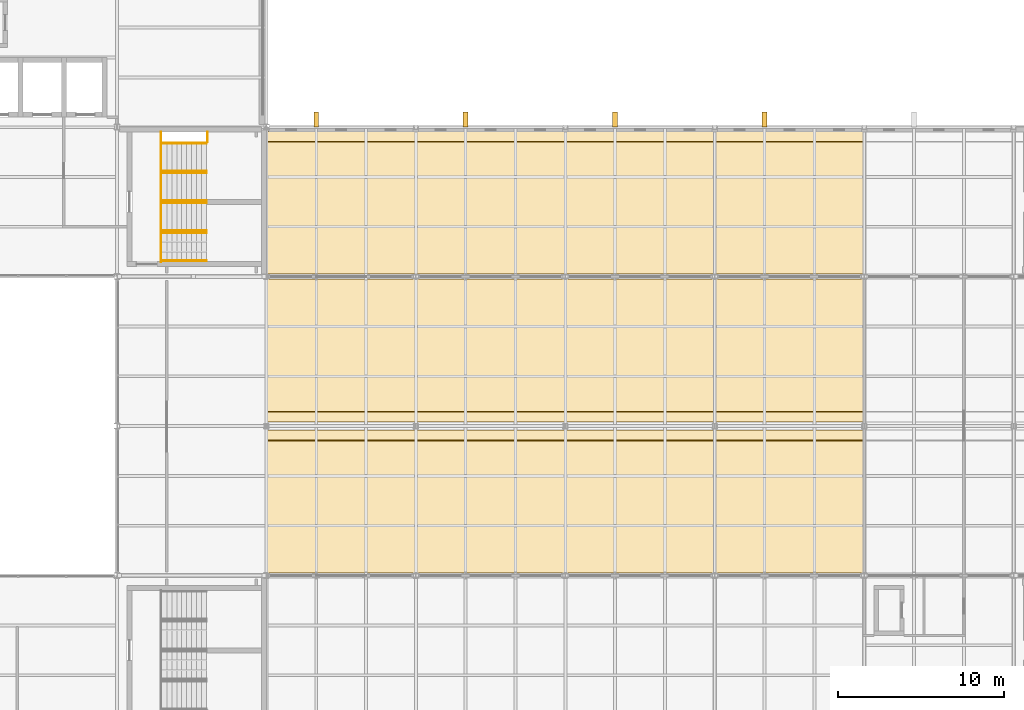
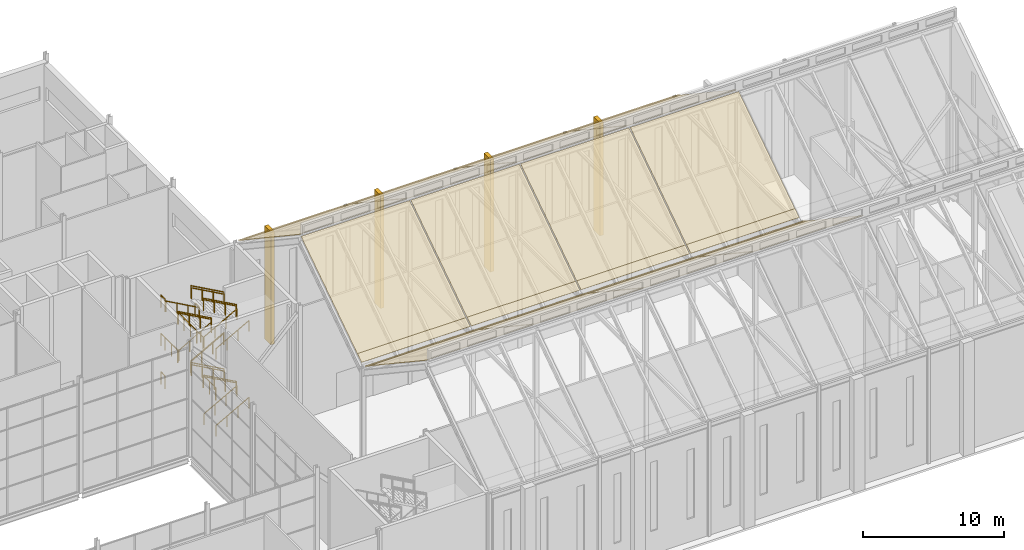
# One storey, part 109 of 111: 25 railings, 24 coverings, 4 shading devices.
"""IFC4 building model written with IfcOpenShell, lengths in metres."""

from ifc_helpers import new_model, si_unit, direction, frame, origin, origin_2d, place, context, subcontext, project, spatial, polyline, rectangle, circle, outline, extrude, material, layer, layer_set, type_object, element, save


model = new_model("IFC4")

# Units and contexts
model_context = context("Model", 3, precision=1e-05, world=origin(), true_north=direction((0.0, 1.0)))
body_context = subcontext(model_context, "Body", "Model", "MODEL_VIEW")
ifc_project = project(units=[si_unit("LENGTHUNIT", "METRE"), si_unit("AREAUNIT", "SQUARE_METRE"), si_unit("VOLUMEUNIT", "CUBIC_METRE"), si_unit("PLANEANGLEUNIT", "RADIAN"), si_unit("MASSUNIT", "GRAM", prefix="KILO")], contexts=[model_context])

# Site, building, storey
site_placement = place(None, origin())
site = spatial("IfcSite", under=ifc_project, at=site_placement, CompositionType="ELEMENT")
building_placement = place(site_placement, origin())
building = spatial("IfcBuilding", under=site, at=building_placement, Name="Shorebreak Coast Museum", CompositionType="ELEMENT")
storey_placement = place(building_placement, frame((0.0, 0.0, 16.0)))
storey = spatial("IfcBuildingStorey", under=building, at=storey_placement, Name="L03", CompositionType="ELEMENT", Elevation=16.0)

# Coverings
ifc_material_1 = material(Name="Lead-coated copper")
ifc_layer_1 = layer(ifc_material_1, 0.0400390625)
ifc_layer_set_1 = layer_set([ifc_layer_1], Name="Lead-coated copper")
covering_type_1 = type_object("IfcCoveringType", Name="Lead-coated copper roofing 40", PredefinedType="ROOFING", material=ifc_layer_set_1)
for number, where, z_axis, x_axis, name in (
    (1, (117.050048828125, 63.14990234375, 15.947998046875), (0.0, 0.554694336455, 0.832054200822), (1.0, 0.0, 0.0), "Roofing FOLD-E-P07"),
    (2, (126.050048828125, 63.14990234375, 15.947998046875), (0.0, 0.554694336455, 0.832054200822), (1.0, 0.0, 0.0), "Roofing FOLD-E-P08"),
    (3, (135.050048828125, 63.14990234375, 15.947998046875), (0.0, 0.554694336455, 0.832054200822), (1.0, 0.0, 0.0), "Roofing FOLD-E-P09"),
    (4, (144.050048828125, 63.14990234375, 15.947998046875), (0.0, 0.554694336455, 0.832054200822), (1.0, 0.0, 0.0), "Roofing FOLD-E-P10"),
    (5, (117.050048828125, 72.85009765625, 10.61474609375), (0.0, -0.554694336455, 0.832054200822), (1.0, 0.0, 0.0), "Roofing FOLD-E-P13"),
    (6, (126.050048828125, 72.85009765625, 10.61474609375), (0.0, -0.554694336455, 0.832054200822), (1.0, 0.0, 0.0), "Roofing FOLD-E-P14"),
    (7, (135.050048828125, 72.85009765625, 10.61474609375), (0.0, -0.554694336455, 0.832054200822), (1.0, 0.0, 0.0), "Roofing FOLD-E-P15"),
    (8, (144.050048828125, 72.85009765625, 10.61474609375), (0.0, -0.554694336455, 0.832054200822), (1.0, 0.0, 0.0), "Roofing FOLD-E-P16"),
    (9, (117.050048828125, 81.14990234375, 15.947998046875), (0.0, 0.554694336455, 0.832054200822), (1.0, 0.0, 0.0), "Roofing FOLD-E-P19"),
    (10, (126.050048828125, 81.14990234375, 15.947998046875), (0.0, 0.554694336455, 0.832054200822), (1.0, 0.0, 0.0), "Roofing FOLD-E-P20"),
    (11, (135.050048828125, 81.14990234375, 15.947998046875), (0.0, 0.554694336455, 0.832054200822), (1.0, 0.0, 0.0), "Roofing FOLD-E-P21"),
    (12, (144.050048828125, 81.14990234375, 15.947998046875), (0.0, 0.554694336455, 0.832054200822), (1.0, 0.0, 0.0), "Roofing FOLD-E-P22"),
):
    element("IfcCovering", number, at=place(storey_placement, frame(where, z_axis=z_axis, x_axis=x_axis)), inside=storey, type_object=covering_type_1, Name=name, PredefinedType="ROOFING", context=body_context, shape_type="SweptSolid", body=[
        extrude(outline(polyline([(0.0, 0.0), (8.89990234375, 0.0), (8.89990234375, 9.614758259858208), (0.0, 9.614758259858208), (0.0, 0.0)])), origin(), (0.0, 0.0, -1.0), 0.0400390625),
    ])

# Railings
ifc_material_2 = material(Name="Steel Grade 300", Category="steel")
railing_type_1 = type_object("IfcRailingType", Name="Stair guard 1100", PredefinedType="GUARDRAIL", material=ifc_material_2)
for number, where, name in (
    (13, (110.64990234375, 81.89990234375, 3.333251953125), "Guard ST04 L03 landing mid1"),
    (14, (110.64990234375, 87.300048828125, 3.333251953125), "Guard ST04 L03 landing mid1"),
):
    element("IfcRailing", number, at=place(storey_placement, frame(where)), inside=storey, type_object=railing_type_1, Name=name, PredefinedType="GUARDRAIL", context=body_context, shape_type="SweptSolid", body=[
        extrude(circle(Radius=0.02490234375, at=origin_2d()), frame((0.0, 0.0, 1.0751953125), z_axis=(0.0, 1.0, 0.0), x_axis=(-1.0, 0.0, 0.0)), (0.0, 0.0, 1.0), 1.800048828125),
        extrude(circle(Radius=0.02001953125, at=origin_2d()), origin(), (0.0, 0.0, 1.0), 1.050048828125),
        extrude(circle(Radius=0.02001953125, at=origin_2d()), frame((0.0, 0.89990234375, 0.0)), (0.0, 0.0, 1.0), 1.050048828125),
        extrude(circle(Radius=0.02001953125, at=origin_2d()), frame((0.0, 1.800048828125, 0.0)), (0.0, 0.0, 1.0), 1.050048828125),
    ])
railing_1_placement = place(storey_placement, frame((110.64990234375, 83.699951171875, 6.666748046875)))
element("IfcRailing", 15, at=railing_1_placement, inside=storey, type_object=railing_type_1, Name="Guard ST04 L03 landing mid2", PredefinedType="GUARDRAIL", context=body_context, shape_type="SweptSolid", body=[
    extrude(circle(Radius=0.02490234375, at=origin_2d()), frame((0.0, 0.0, 1.0751953125), z_axis=(0.0, 1.0, 0.0), x_axis=(-1.0, 0.0, 0.0)), (0.0, 0.0, 1.0), 3.60009765625),
    extrude(circle(Radius=0.02001953125, at=origin_2d()), origin(), (0.0, 0.0, 1.0), 1.050048828125),
    extrude(circle(Radius=0.02001953125, at=origin_2d()), frame((0.0, 0.89990234375, 0.0)), (0.0, 0.0, 1.0), 1.050048828125),
    extrude(circle(Radius=0.02001953125, at=origin_2d()), frame((0.0, 1.800048828125, 0.0)), (0.0, 0.0, 1.0), 1.050048828125),
    extrude(circle(Radius=0.02001953125, at=origin_2d()), frame((0.0, 2.7001953125, 0.0)), (0.0, 0.0, 1.0), 1.050048828125),
    extrude(circle(Radius=0.02001953125, at=origin_2d()), frame((0.0, 3.60009765625, 0.0)), (0.0, 0.0, 1.0), 1.050048828125),
])
for number, where, name in (
    (16, (110.64990234375, 89.10009765625, 0.0), "Guard ST04 L03 landing strip"),
    (17, (110.64990234375, 89.10009765625, 3.333251953125), "Guard ST04 L03 landing strip"),
    (18, (110.64990234375, 89.10009765625, 6.666748046875), "Guard ST04 L03 landing strip"),
    (19, (113.449951171875, 89.10009765625, 5.0), "Guard ST04 L03 landing strip"),
):
    element("IfcRailing", number, at=place(storey_placement, frame(where)), inside=storey, type_object=railing_type_1, Name=name, PredefinedType="GUARDRAIL", context=body_context, shape_type="SweptSolid", body=[
        extrude(circle(Radius=0.02490234375, at=origin_2d()), frame((0.0, 0.0, 1.0751953125), z_axis=(0.0, 1.0, 0.0), x_axis=(-1.0, 0.0, 0.0)), (0.0, 0.0, 1.0), 0.599853515625),
        extrude(circle(Radius=0.02001953125, at=origin_2d()), origin(), (0.0, 0.0, 1.0), 1.050048828125),
        extrude(circle(Radius=0.02001953125, at=origin_2d()), frame((0.0, 0.599853515625, 0.0)), (0.0, 0.0, 1.0), 1.050048828125),
    ])
for number, where, name in (
    (20, (113.39990234375, 83.699951171875, 1.833251953125), "Guard ST04-L03 well 1"),
    (21, (113.39990234375, 87.300048828125, 5.166748046875), "Guard ST04-L03 well 2"),
    (22, (113.39990234375, 83.699951171875, 8.5), "Guard ST04-L03 well 3"),
    (23, (113.39990234375, 85.5, 1.833251953125), "Guard ST04-L03 side 1"),
):
    element("IfcRailing", number, at=place(storey_placement, frame(where)), inside=storey, type_object=railing_type_1, Name=name, PredefinedType="GUARDRAIL", context=body_context, shape_type="SweptSolid", body=[
        extrude(circle(Radius=0.02490234375, at=origin_2d()), frame((0.0, 0.0, 1.0751953125), z_axis=(-0.87415354758, 0.0, 0.485649642493), x_axis=(0.0, -1.0, 0.0)), (0.0, 0.0, 1.0), 3.088623046875),
        extrude(circle(Radius=0.02001953125, at=origin_2d()), origin(), (0.0, 0.0, 1.0), 1.050048828125),
        extrude(circle(Radius=0.02001953125, at=origin_2d()), frame((-0.89990234375, 0.0, 0.5)), (0.0, 0.0, 1.0), 1.050048828125),
        extrude(circle(Radius=0.02001953125, at=origin_2d()), frame((-1.800048828125, 0.0, 1.0)), (0.0, 0.0, 1.0), 1.050048828125),
        extrude(circle(Radius=0.02001953125, at=origin_2d()), frame((-2.699951171875, 0.0, 1.5)), (0.0, 0.0, 1.0), 1.050048828125),
    ])
railing_2_placement = place(storey_placement, frame((110.699951171875, 85.5, 3.5)))
element("IfcRailing", 24, at=railing_2_placement, inside=storey, type_object=railing_type_1, Name="Guard ST04-L03 side 2", PredefinedType="GUARDRAIL", context=body_context, shape_type="SweptSolid", body=[
    extrude(circle(Radius=0.02490234375, at=origin_2d()), frame((0.0, 0.0, 1.0751953125), z_axis=(0.87415354758, 0.0, 0.485649642493), x_axis=(0.0, 1.0, 0.0)), (0.0, 0.0, 1.0), 3.088623046875),
    extrude(circle(Radius=0.02001953125, at=origin_2d()), origin(), (0.0, 0.0, 1.0), 1.050048828125),
    extrude(circle(Radius=0.02001953125, at=origin_2d()), frame((0.89990234375, 0.0, 0.5)), (0.0, 0.0, 1.0), 1.050048828125),
    extrude(circle(Radius=0.02001953125, at=origin_2d()), frame((1.800048828125, 0.0, 1.0)), (0.0, 0.0, 1.0), 1.050048828125),
    extrude(circle(Radius=0.02001953125, at=origin_2d()), frame((2.699951171875, 0.0, 1.5)), (0.0, 0.0, 1.0), 1.050048828125),
])
railing_3_placement = place(storey_placement, frame((113.39990234375, 85.5, 8.5)))
element("IfcRailing", 25, at=railing_3_placement, inside=storey, type_object=railing_type_1, Name="Guard ST04-L03 side 3", PredefinedType="GUARDRAIL", context=body_context, shape_type="SweptSolid", body=[
    extrude(circle(Radius=0.02490234375, at=origin_2d()), frame((0.0, 0.0, 1.0751953125), z_axis=(-0.87415354758, 0.0, 0.485649642493), x_axis=(0.0, -1.0, 0.0)), (0.0, 0.0, 1.0), 3.088623046875),
    extrude(circle(Radius=0.02001953125, at=origin_2d()), origin(), (0.0, 0.0, 1.0), 1.050048828125),
    extrude(circle(Radius=0.02001953125, at=origin_2d()), frame((-0.89990234375, 0.0, 0.5)), (0.0, 0.0, 1.0), 1.050048828125),
    extrude(circle(Radius=0.02001953125, at=origin_2d()), frame((-1.800048828125, 0.0, 1.0)), (0.0, 0.0, 1.0), 1.050048828125),
    extrude(circle(Radius=0.02001953125, at=origin_2d()), frame((-2.699951171875, 0.0, 1.5)), (0.0, 0.0, 1.0), 1.050048828125),
])
ifc_material_3 = material(Name="Steel Grade 300", Category="steel")
railing_type_2 = type_object("IfcRailingType", Name="Stair handrail 950", PredefinedType="HANDRAIL", material=ifc_material_3)
for number, where, name in (
    (26, (110.699951171875, 81.9599609375, 0.166748046875), "Handrail ST04-L03 flight 1a"),
    (27, (110.699951171875, 83.639892578125, 0.166748046875), "Handrail ST04-L03 flight 1b"),
):
    element("IfcRailing", number, at=place(storey_placement, frame(where)), inside=storey, type_object=railing_type_2, Name=name, PredefinedType="HANDRAIL", context=body_context, shape_type="SweptSolid", body=[
        extrude(circle(Radius=0.02490234375, at=origin_2d()), frame((0.0, 0.0, 0.9248046875), z_axis=(0.87415354758, 0.0, 0.485649642493), x_axis=(0.0, 1.0, 0.0)), (0.0, 0.0, 1.0), 3.088623046875),
        extrude(circle(Radius=0.02001953125, at=origin_2d()), origin(), (0.0, 0.0, 1.0), 0.89990234375),
        extrude(circle(Radius=0.02001953125, at=origin_2d()), frame((0.89990234375, 0.0, 0.5)), (0.0, 0.0, 1.0), 0.89990234375),
        extrude(circle(Radius=0.02001953125, at=origin_2d()), frame((1.800048828125, 0.0, 1.0)), (0.0, 0.0, 1.0), 0.89990234375),
        extrude(circle(Radius=0.02001953125, at=origin_2d()), frame((2.699951171875, 0.0, 1.5)), (0.0, 0.0, 1.0), 0.89990234375),
    ])
for number, where, name in (
    (28, (113.39990234375, 83.760009765625, 1.833251953125), "Handrail ST04-L03 flight 2a"),
    (29, (113.39990234375, 85.43994140625, 1.833251953125), "Handrail ST04-L03 flight 2b"),
):
    element("IfcRailing", number, at=place(storey_placement, frame(where)), inside=storey, type_object=railing_type_2, Name=name, PredefinedType="HANDRAIL", context=body_context, shape_type="SweptSolid", body=[
        extrude(circle(Radius=0.02490234375, at=origin_2d()), frame((0.0, 0.0, 0.9248046875), z_axis=(-0.87415354758, 0.0, 0.485649642493), x_axis=(0.0, -1.0, 0.0)), (0.0, 0.0, 1.0), 3.088623046875),
        extrude(circle(Radius=0.02001953125, at=origin_2d()), origin(), (0.0, 0.0, 1.0), 0.89990234375),
        extrude(circle(Radius=0.02001953125, at=origin_2d()), frame((-0.89990234375, 0.0, 0.5)), (0.0, 0.0, 1.0), 0.89990234375),
        extrude(circle(Radius=0.02001953125, at=origin_2d()), frame((-1.800048828125, 0.0, 1.0)), (0.0, 0.0, 1.0), 0.89990234375),
        extrude(circle(Radius=0.02001953125, at=origin_2d()), frame((-2.699951171875, 0.0, 1.5)), (0.0, 0.0, 1.0), 0.89990234375),
    ])
for number, where, name in (
    (30, (110.699951171875, 85.56005859375, 3.5), "Handrail ST04-L03 flight 3a"),
    (31, (110.699951171875, 87.239990234375, 3.5), "Handrail ST04-L03 flight 3b"),
):
    element("IfcRailing", number, at=place(storey_placement, frame(where)), inside=storey, type_object=railing_type_2, Name=name, PredefinedType="HANDRAIL", context=body_context, shape_type="SweptSolid", body=[
        extrude(circle(Radius=0.02490234375, at=origin_2d()), frame((0.0, 0.0, 0.9248046875), z_axis=(0.87415354758, 0.0, 0.485649642493), x_axis=(0.0, 1.0, 0.0)), (0.0, 0.0, 1.0), 3.088623046875),
        extrude(circle(Radius=0.02001953125, at=origin_2d()), origin(), (0.0, 0.0, 1.0), 0.89990234375),
        extrude(circle(Radius=0.02001953125, at=origin_2d()), frame((0.89990234375, 0.0, 0.5)), (0.0, 0.0, 1.0), 0.89990234375),
        extrude(circle(Radius=0.02001953125, at=origin_2d()), frame((1.800048828125, 0.0, 1.0)), (0.0, 0.0, 1.0), 0.89990234375),
        extrude(circle(Radius=0.02001953125, at=origin_2d()), frame((2.699951171875, 0.0, 1.5)), (0.0, 0.0, 1.0), 0.89990234375),
    ])
for number, where, name in (
    (32, (113.39990234375, 87.360107421875, 5.166748046875), "Handrail ST04-L03 flight 4a"),
    (33, (113.39990234375, 89.0400390625, 5.166748046875), "Handrail ST04-L03 flight 4b"),
):
    element("IfcRailing", number, at=place(storey_placement, frame(where)), inside=storey, type_object=railing_type_2, Name=name, PredefinedType="HANDRAIL", context=body_context, shape_type="SweptSolid", body=[
        extrude(circle(Radius=0.02490234375, at=origin_2d()), frame((0.0, 0.0, 0.9248046875), z_axis=(-0.87415354758, 0.0, 0.485649642493), x_axis=(0.0, -1.0, 0.0)), (0.0, 0.0, 1.0), 3.088623046875),
        extrude(circle(Radius=0.02001953125, at=origin_2d()), origin(), (0.0, 0.0, 1.0), 0.89990234375),
        extrude(circle(Radius=0.02001953125, at=origin_2d()), frame((-0.89990234375, 0.0, 0.5)), (0.0, 0.0, 1.0), 0.89990234375),
        extrude(circle(Radius=0.02001953125, at=origin_2d()), frame((-1.800048828125, 0.0, 1.0)), (0.0, 0.0, 1.0), 0.89990234375),
        extrude(circle(Radius=0.02001953125, at=origin_2d()), frame((-2.699951171875, 0.0, 1.5)), (0.0, 0.0, 1.0), 0.89990234375),
    ])
for number, where, name in (
    (34, (110.699951171875, 81.9599609375, 6.833251953125), "Handrail ST04-L03 flight 5a"),
    (35, (110.699951171875, 83.639892578125, 6.833251953125), "Handrail ST04-L03 flight 5b"),
):
    element("IfcRailing", number, at=place(storey_placement, frame(where)), inside=storey, type_object=railing_type_2, Name=name, PredefinedType="HANDRAIL", context=body_context, shape_type="SweptSolid", body=[
        extrude(circle(Radius=0.02490234375, at=origin_2d()), frame((0.0, 0.0, 0.9248046875), z_axis=(0.87415354758, 0.0, 0.485649642493), x_axis=(0.0, 1.0, 0.0)), (0.0, 0.0, 1.0), 3.088623046875),
        extrude(circle(Radius=0.02001953125, at=origin_2d()), origin(), (0.0, 0.0, 1.0), 0.89990234375),
        extrude(circle(Radius=0.02001953125, at=origin_2d()), frame((0.89990234375, 0.0, 0.5)), (0.0, 0.0, 1.0), 0.89990234375),
        extrude(circle(Radius=0.02001953125, at=origin_2d()), frame((1.800048828125, 0.0, 1.0)), (0.0, 0.0, 1.0), 0.89990234375),
        extrude(circle(Radius=0.02001953125, at=origin_2d()), frame((2.699951171875, 0.0, 1.5)), (0.0, 0.0, 1.0), 0.89990234375),
    ])
for number, where, name in (
    (36, (113.39990234375, 83.760009765625, 8.5), "Handrail ST04-L03 flight 6a"),
    (37, (113.39990234375, 85.43994140625, 8.5), "Handrail ST04-L03 flight 6b"),
):
    element("IfcRailing", number, at=place(storey_placement, frame(where)), inside=storey, type_object=railing_type_2, Name=name, PredefinedType="HANDRAIL", context=body_context, shape_type="SweptSolid", body=[
        extrude(circle(Radius=0.02490234375, at=origin_2d()), frame((0.0, 0.0, 0.9248046875), z_axis=(-0.87415354758, 0.0, 0.485649642493), x_axis=(0.0, -1.0, 0.0)), (0.0, 0.0, 1.0), 3.088623046875),
        extrude(circle(Radius=0.02001953125, at=origin_2d()), origin(), (0.0, 0.0, 1.0), 0.89990234375),
        extrude(circle(Radius=0.02001953125, at=origin_2d()), frame((-0.89990234375, 0.0, 0.5)), (0.0, 0.0, 1.0), 0.89990234375),
        extrude(circle(Radius=0.02001953125, at=origin_2d()), frame((-1.800048828125, 0.0, 1.0)), (0.0, 0.0, 1.0), 0.89990234375),
        extrude(circle(Radius=0.02001953125, at=origin_2d()), frame((-2.699951171875, 0.0, 1.5)), (0.0, 0.0, 1.0), 0.89990234375),
    ])

# Shading devices
ifc_material_4 = material(Name="Concrete N50 (50 MPa)", Category="concrete")
ifc_layer_2 = layer(ifc_material_4, 0.300048828125)
ifc_layer_set_2 = layer_set([ifc_layer_2], Name="Concrete N50 (50 MPa)")
shading_device_type = type_object("IfcShadingDeviceType", Name="Sun fin 300 x 900", PredefinedType="USERDEFINED", material=ifc_layer_set_2)
for number, where, z_axis, x_axis, name in (
    (38, (120.0, 90.449951171875, 0.0), (0.0, 0.0, 1.0), (1.0, 0.0, 0.0), "Sun fin L03 N25"),
    (39, (129.0, 90.449951171875, 0.0), (0.0, 0.0, 1.0), (1.0, 0.0, 0.0), "Sun fin L03 N26"),
    (40, (138.0, 90.449951171875, 0.0), (0.0, 0.0, 1.0), (1.0, 0.0, 0.0), "Sun fin L03 N27"),
    (41, (147.0, 90.449951171875, 0.0), (0.0, 0.0, 1.0), (1.0, 0.0, 0.0), "Sun fin L03 N28"),
):
    element("IfcShadingDevice", number, at=place(storey_placement, frame(where, z_axis=z_axis, x_axis=x_axis)), inside=storey, type_object=shading_device_type, Name=name, ObjectType="FIN", PredefinedType="USERDEFINED", context=body_context, shape_type="SweptSolid", body=[
        extrude(rectangle(XDim=0.300048828125, YDim=0.89990234375, at=origin_2d()), origin(), (0.0, 0.0, 1.0), 9.800048828125),
    ])

# Coverings
ifc_material_5 = material(Name="Aluminium", Category="aluminium")
ifc_layer_3 = layer(ifc_material_5, 0.06005859375)
ifc_layer_set_3 = layer_set([ifc_layer_3], Name="Aluminium")
covering_type_2 = type_object("IfcCoveringType", Name="Valley gutter lining 60", PredefinedType="MEMBRANE", material=ifc_layer_set_3)
for number, where, z_axis, x_axis, name in (
    (42, (117.050048828125, 71.14990234375, 10.638916015625), (0.0, 0.5547783059, 0.831998215925), (1.0, 0.0, 0.0), "Valley gutter FOLD-E-P07"),
    (43, (126.050048828125, 71.14990234375, 10.638916015625), (0.0, 0.5547783059, 0.831998215925), (1.0, 0.0, 0.0), "Valley gutter FOLD-E-P08"),
    (44, (135.050048828125, 71.14990234375, 10.638916015625), (0.0, 0.5547783059, 0.831998215925), (1.0, 0.0, 0.0), "Valley gutter FOLD-E-P09"),
    (45, (144.050048828125, 71.14990234375, 10.638916015625), (0.0, 0.5547783059, 0.831998215925), (1.0, 0.0, 0.0), "Valley gutter FOLD-E-P10"),
    (46, (117.050048828125, 72.25, 10.23876953125), (0.0, -0.5547783059, 0.831998215925), (1.0, 0.0, 0.0), "Valley gutter FOLD-E-P13"),
    (47, (126.050048828125, 72.25, 10.23876953125), (0.0, -0.5547783059, 0.831998215925), (1.0, 0.0, 0.0), "Valley gutter FOLD-E-P14"),
    (48, (135.050048828125, 72.25, 10.23876953125), (0.0, -0.5547783059, 0.831998215925), (1.0, 0.0, 0.0), "Valley gutter FOLD-E-P15"),
    (49, (144.050048828125, 72.25, 10.23876953125), (0.0, -0.5547783059, 0.831998215925), (1.0, 0.0, 0.0), "Valley gutter FOLD-E-P16"),
    (50, (117.050048828125, 89.14990234375, 10.638916015625), (0.0, 0.5547783059, 0.831998215925), (1.0, 0.0, 0.0), "Valley gutter FOLD-E-P19"),
    (51, (126.050048828125, 89.14990234375, 10.638916015625), (0.0, 0.5547783059, 0.831998215925), (1.0, 0.0, 0.0), "Valley gutter FOLD-E-P20"),
    (52, (135.050048828125, 89.14990234375, 10.638916015625), (0.0, 0.5547783059, 0.831998215925), (1.0, 0.0, 0.0), "Valley gutter FOLD-E-P21"),
    (53, (144.050048828125, 89.14990234375, 10.638916015625), (0.0, 0.5547783059, 0.831998215925), (1.0, 0.0, 0.0), "Valley gutter FOLD-E-P22"),
):
    element("IfcCovering", number, at=place(storey_placement, frame(where, z_axis=z_axis, x_axis=x_axis)), inside=storey, type_object=covering_type_2, Name=name, PredefinedType="MEMBRANE", context=body_context, shape_type="SweptSolid", body=[
        extrude(outline(polyline([(0.0, 0.0), (8.89990234375, 0.0), (8.89990234375, 0.721272768094301), (0.0, 0.721272768094301), (0.0, 0.0)])), origin(), (0.0, 0.0, -1.0), 0.06005859375),
    ])

save(model, "model.ifc")
